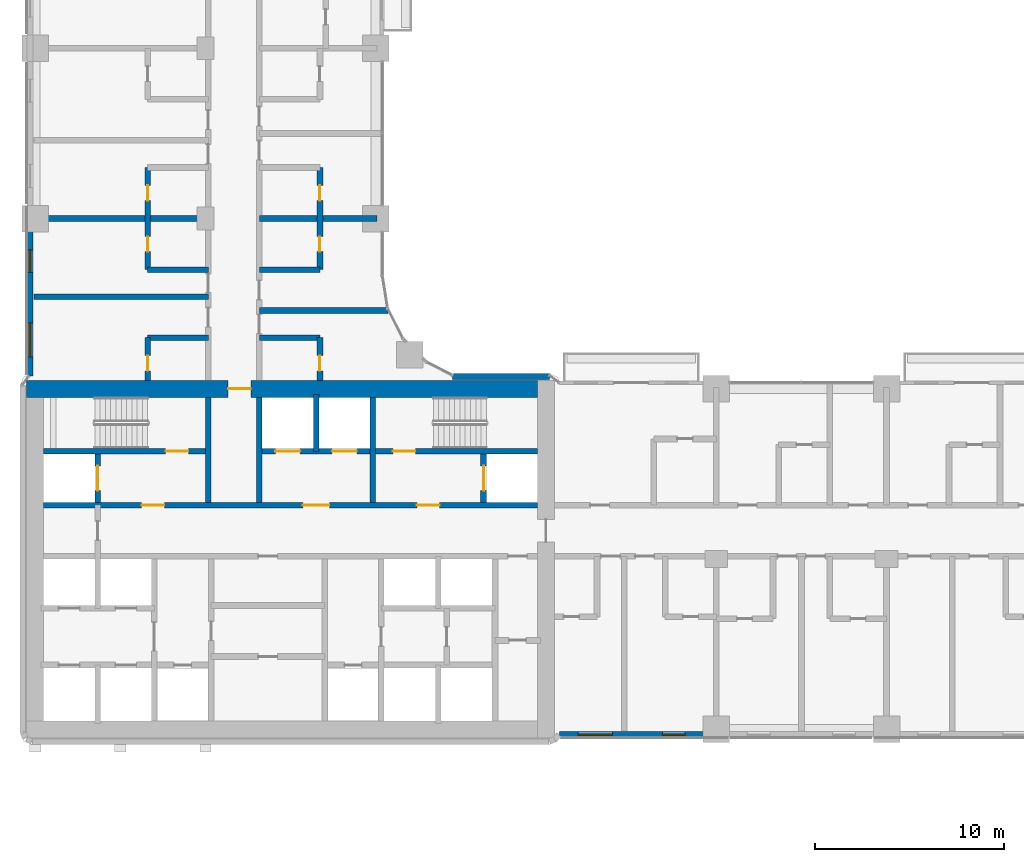
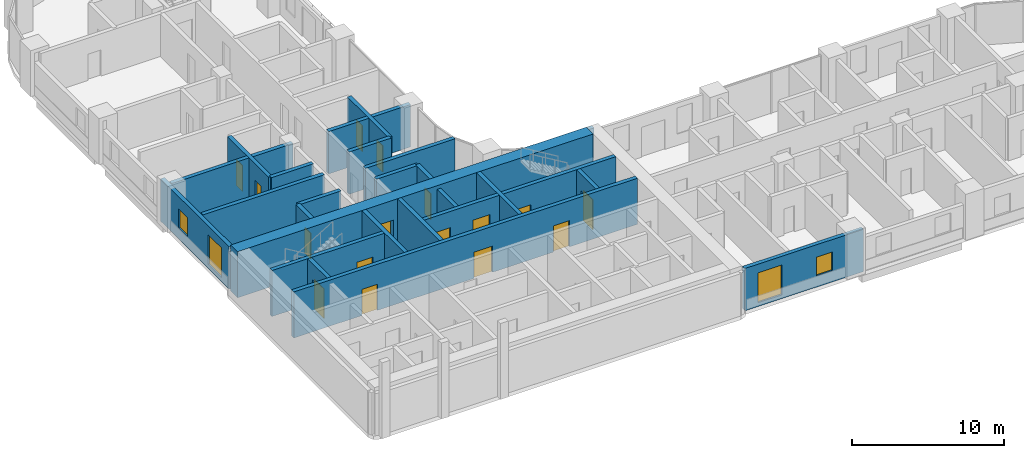
# One storey, part 15 of 30: 25 walls, 16 doors, 4 windows, 20 openings.
"""IFC4 building model written with IfcOpenShell, lengths in metres."""

from ifc_helpers import new_model, si_unit, direction, frame, frame_2d, origin, place, context, subcontext, project, spatial, rectangle, extrude, material, layer, layer_set, type_object, element, fill, save


model = new_model("IFC4")

# Units and contexts
model_context = context("Model", 3, precision=1e-05, world=origin(), true_north=direction((0.0, 1.0)))
body_context = subcontext(model_context, "Body", "Model", "MODEL_VIEW")
ifc_project = project(units=[si_unit("LENGTHUNIT", "METRE"), si_unit("AREAUNIT", "SQUARE_METRE"), si_unit("VOLUMEUNIT", "CUBIC_METRE"), si_unit("PLANEANGLEUNIT", "RADIAN"), si_unit("MASSUNIT", "GRAM", prefix="KILO")], contexts=[model_context])

# Site, building, storey
site_placement = place(None, origin())
site = spatial("IfcSite", under=ifc_project, at=site_placement, CompositionType="ELEMENT")
building_placement = place(site_placement, origin())
building = spatial("IfcBuilding", under=site, at=building_placement, Name="Ogive Portal Towers", CompositionType="ELEMENT")
storey_placement = place(building_placement, frame((0.0, 0.0, 37.199951171875)))
storey = spatial("IfcBuildingStorey", under=building, at=storey_placement, Name="L07", CompositionType="ELEMENT", Elevation=37.199951171875)

# Wall, openings, doors
ifc_material_1 = material(Name="Concrete C60/75", Category="concrete")
ifc_layer_1 = layer(ifc_material_1, 0.300048828125)
ifc_layer_set_1 = layer_set([ifc_layer_1], Name="CORE WALL 300 C60")
wall_type_1 = type_object("IfcWallType", Name="CORE WALL 300 C60", PredefinedType="SHEAR", material=ifc_layer_set_1)
wall_1_placement = place(storey_placement, frame((31.949951171875, 33.35009765625, 0.0), z_axis=(0.0, 0.0, 1.0), x_axis=(1.0, 0.0, 0.0)))
wall_1 = element("IfcWall", 1, at=wall_1_placement, inside=storey, type_object=wall_type_1, Name="Core wall Y2 L07", PredefinedType="SHEAR", context=body_context, shape_type="SweptSolid", body=[
    extrude(rectangle(XDim=26.10009765625, YDim=0.300048828125, at=frame_2d((13.050048828125, 0.0))), origin(), (0.0, 0.0, 1.0), 3.699951171875),
])
opening_1_placement = place(wall_1_placement, frame((13.699951171875, 0.0, 0.0)))
opening_1 = element("IfcOpeningElement", 2, at=opening_1_placement, cuts=wall_1, Name="Opening D01-002", PredefinedType="OPENING", context=body_context, shape_type="SweptSolid", body=[
    extrude(rectangle(XDim=1.39990234375, YDim=2.10009765625, at=frame_2d((0.699951171875, 1.050048828125))), frame((0.0, 0.16015625, 0.0), z_axis=(0.0, -1.0, 0.0), x_axis=(1.0, 0.0, 0.0)), (0.0, 0.0, 1.0), 0.320068359375),
])
opening_2_placement = place(wall_1_placement, frame((5.175048828125, 0.0, 0.0)))
opening_2 = element("IfcOpeningElement", 3, at=opening_2_placement, cuts=wall_1, Name="Opening D01-003", PredefinedType="OPENING", context=body_context, shape_type="SweptSolid", body=[
    extrude(rectangle(XDim=1.199951171875, YDim=2.10009765625, at=frame_2d((0.60009765625, 1.050048828125))), frame((0.0, 0.16015625, 0.0), z_axis=(0.0, -1.0, 0.0), x_axis=(1.0, 0.0, 0.0)), (0.0, 0.0, 1.0), 0.320068359375),
])
opening_3_placement = place(wall_1_placement, frame((19.72509765625, 0.0, 0.0)))
opening_3 = element("IfcOpeningElement", 4, at=opening_3_placement, cuts=wall_1, Name="Opening D01-004", PredefinedType="OPENING", context=body_context, shape_type="SweptSolid", body=[
    extrude(rectangle(XDim=1.199951171875, YDim=2.10009765625, at=frame_2d((0.60009765625, 1.050048828125))), frame((0.0, 0.16015625, 0.0), z_axis=(0.0, -1.0, 0.0), x_axis=(1.0, 0.0, 0.0)), (0.0, 0.0, 1.0), 0.320068359375),
])
ifc_material_2 = material(Name="Steel fire door", Category="steel")
door_type_1 = type_object("IfcDoorType", Name="DT-SWING-1200x2100-FD90S", OperationType="SINGLE_SWING_LEFT", PredefinedType="DOOR", material=ifc_material_2)
door_1_placement = place(opening_2_placement, origin())
door_1 = element("IfcDoor", 5, at=door_1_placement, inside=storey, type_object=door_type_1, Name="Door D01-003", OperationType="SINGLE_SWING_LEFT", OverallHeight=2.10009765625, OverallWidth=1.199951171875, PredefinedType="DOOR", context=body_context, shape_type="SweptSolid", body=[
    extrude(rectangle(XDim=1.199951171875, YDim=2.10009765625, at=frame_2d((0.60009765625, 1.050048828125))), frame((0.0, 0.02490234375, 0.0), z_axis=(0.0, -1.0, 0.0), x_axis=(1.0, 0.0, 0.0)), (0.0, 0.0, 1.0), 0.050048828125),
])
fill(opening_2, door_1)
door_2_placement = place(opening_3_placement, origin())
door_2 = element("IfcDoor", 6, at=door_2_placement, inside=storey, type_object=door_type_1, Name="Door D01-004", OperationType="SINGLE_SWING_RIGHT", OverallHeight=2.10009765625, OverallWidth=1.199951171875, PredefinedType="DOOR", context=body_context, shape_type="SweptSolid", body=[
    extrude(rectangle(XDim=1.199951171875, YDim=2.10009765625, at=frame_2d((0.60009765625, 1.050048828125))), frame((0.0, 0.02490234375, 0.0), z_axis=(0.0, -1.0, 0.0), x_axis=(1.0, 0.0, 0.0)), (0.0, 0.0, 1.0), 0.050048828125),
])
fill(opening_3, door_2)
door_type_2 = type_object("IfcDoorType", Name="DT-SWING-1400x2100-FD90S", OperationType="SINGLE_SWING_LEFT", PredefinedType="DOOR", material=ifc_material_2)
door_3_placement = place(opening_1_placement, origin())
door_3 = element("IfcDoor", 7, at=door_3_placement, inside=storey, type_object=door_type_2, Name="Door D01-002", OperationType="SINGLE_SWING_RIGHT", OverallHeight=2.10009765625, OverallWidth=1.39990234375, PredefinedType="DOOR", context=body_context, shape_type="SweptSolid", body=[
    extrude(rectangle(XDim=1.39990234375, YDim=2.10009765625, at=frame_2d((0.699951171875, 1.050048828125))), frame((0.0, 0.02490234375, 0.0), z_axis=(0.0, -1.0, 0.0), x_axis=(1.0, 0.0, 0.0)), (0.0, 0.0, 1.0), 0.050048828125),
])
fill(opening_1, door_3)

# Wall, opening, door
wall_2_placement = place(storey_placement, frame((31.949951171875, 36.199951171875, 0.0), z_axis=(0.0, 0.0, 1.0), x_axis=(1.0, 0.0, 0.0)))
wall_2 = element("IfcWall", 8, at=wall_2_placement, inside=storey, type_object=wall_type_1, Name="Core wall Y3a L07", PredefinedType="SHEAR", context=body_context, shape_type="SweptSolid", body=[
    extrude(rectangle(XDim=8.550048828125, YDim=0.300048828125, at=frame_2d((4.27490234375, 0.0))), origin(), (0.0, 0.0, 1.0), 3.699951171875),
])
opening_4_placement = place(wall_2_placement, frame((6.449951171875, 0.0, 0.0)))
opening_4 = element("IfcOpeningElement", 9, at=opening_4_placement, cuts=wall_2, Name="Opening D01-005", PredefinedType="OPENING", context=body_context, shape_type="SweptSolid", body=[
    extrude(rectangle(XDim=1.199951171875, YDim=2.10009765625, at=frame_2d((0.60009765625, 1.050048828125))), frame((0.0, 0.16015625, 0.0), z_axis=(0.0, -1.0, 0.0), x_axis=(1.0, 0.0, 0.0)), (0.0, 0.0, 1.0), 0.320068359375),
])
door_4_placement = place(opening_4_placement, origin())
door_4 = element("IfcDoor", 10, at=door_4_placement, inside=storey, type_object=door_type_1, Name="Door D01-005", OperationType="SINGLE_SWING_RIGHT", OverallHeight=2.10009765625, OverallWidth=1.199951171875, PredefinedType="DOOR", context=body_context, shape_type="SweptSolid", body=[
    extrude(rectangle(XDim=1.199951171875, YDim=2.10009765625, at=frame_2d((0.60009765625, 1.050048828125))), frame((0.0, 0.02490234375, 0.0), z_axis=(0.0, -1.0, 0.0), x_axis=(1.0, 0.0, 0.0)), (0.0, 0.0, 1.0), 0.050048828125),
])
fill(opening_4, door_4)

# Wall, openings, doors
wall_3_placement = place(storey_placement, frame((43.5, 36.199951171875, 0.0), z_axis=(0.0, 0.0, 1.0), x_axis=(1.0, 0.0, 0.0)))
wall_3 = element("IfcWall", 11, at=wall_3_placement, inside=storey, type_object=wall_type_1, Name="Core wall Y3b L07", PredefinedType="SHEAR", context=body_context, shape_type="SweptSolid", body=[
    extrude(rectangle(XDim=14.550048828125, YDim=0.300048828125, at=frame_2d((7.27490234375, 0.0))), origin(), (0.0, 0.0, 1.0), 3.699951171875),
])
opening_5_placement = place(wall_3_placement, frame((6.89990234375, 0.0, 0.0)))
opening_5 = element("IfcOpeningElement", 12, at=opening_5_placement, cuts=wall_3, Name="Opening D01-006", PredefinedType="OPENING", context=body_context, shape_type="SweptSolid", body=[
    extrude(rectangle(XDim=1.199951171875, YDim=2.10009765625, at=frame_2d((0.60009765625, 1.050048828125))), frame((0.0, 0.16015625, 0.0), z_axis=(0.0, -1.0, 0.0), x_axis=(1.0, 0.0, 0.0)), (0.0, 0.0, 1.0), 0.320068359375),
])
opening_6_placement = place(wall_3_placement, frame((0.699951171875, 0.0, 0.0)))
opening_6 = element("IfcOpeningElement", 13, at=opening_6_placement, cuts=wall_3, Name="Opening D01-017", PredefinedType="OPENING", context=body_context, shape_type="SweptSolid", body=[
    extrude(rectangle(XDim=1.300048828125, YDim=2.39990234375, at=frame_2d((0.64990234375, 1.199951171875))), frame((0.0, 0.16015625, 0.0), z_axis=(0.0, -1.0, 0.0), x_axis=(1.0, 0.0, 0.0)), (0.0, 0.0, 1.0), 0.320068359375),
])
opening_7_placement = place(wall_3_placement, frame((3.699951171875, 0.0, 0.0)))
opening_7 = element("IfcOpeningElement", 14, at=opening_7_placement, cuts=wall_3, Name="Opening D01-018", PredefinedType="OPENING", context=body_context, shape_type="SweptSolid", body=[
    extrude(rectangle(XDim=1.300048828125, YDim=2.39990234375, at=frame_2d((0.64990234375, 1.199951171875))), frame((0.0, 0.16015625, 0.0), z_axis=(0.0, -1.0, 0.0), x_axis=(1.0, 0.0, 0.0)), (0.0, 0.0, 1.0), 0.320068359375),
])
ifc_material_3 = material(Name="Stainless steel", Category="steel")
door_type_3 = type_object("IfcDoorType", Name="DT-LD-1300x2400", OperationType="SLIDING_TO_LEFT", PredefinedType="DOOR", material=ifc_material_3)
door_5_placement = place(opening_6_placement, origin())
door_5 = element("IfcDoor", 15, at=door_5_placement, inside=storey, type_object=door_type_3, Name="Door D01-017", OperationType="SLIDING_TO_LEFT", OverallHeight=2.39990234375, OverallWidth=1.300048828125, PredefinedType="DOOR", context=body_context, shape_type="SweptSolid", body=[
    extrude(rectangle(XDim=1.300048828125, YDim=2.39990234375, at=frame_2d((0.64990234375, 1.199951171875))), frame((0.0, 0.02490234375, 0.0), z_axis=(0.0, -1.0, 0.0), x_axis=(1.0, 0.0, 0.0)), (0.0, 0.0, 1.0), 0.050048828125),
])
fill(opening_6, door_5)
door_6_placement = place(opening_7_placement, origin())
door_6 = element("IfcDoor", 16, at=door_6_placement, inside=storey, type_object=door_type_3, Name="Door D01-018", OperationType="SLIDING_TO_LEFT", OverallHeight=2.39990234375, OverallWidth=1.300048828125, PredefinedType="DOOR", context=body_context, shape_type="SweptSolid", body=[
    extrude(rectangle(XDim=1.300048828125, YDim=2.39990234375, at=frame_2d((0.64990234375, 1.199951171875))), frame((0.0, 0.02490234375, 0.0), z_axis=(0.0, -1.0, 0.0), x_axis=(1.0, 0.0, 0.0)), (0.0, 0.0, 1.0), 0.050048828125),
])
fill(opening_7, door_6)
door_7_placement = place(opening_5_placement, origin())
door_7 = element("IfcDoor", 17, at=door_7_placement, inside=storey, type_object=door_type_1, Name="Door D01-006", OperationType="SINGLE_SWING_LEFT", OverallHeight=2.10009765625, OverallWidth=1.199951171875, PredefinedType="DOOR", context=body_context, shape_type="SweptSolid", body=[
    extrude(rectangle(XDim=1.199951171875, YDim=2.10009765625, at=frame_2d((0.60009765625, 1.050048828125))), frame((0.0, 0.02490234375, 0.0), z_axis=(0.0, -1.0, 0.0), x_axis=(1.0, 0.0, 0.0)), (0.0, 0.0, 1.0), 0.050048828125),
])
fill(opening_5, door_7)

# Walls
for number, where, z_axis, x_axis, name in (
    (18, (40.64990234375, 33.5, 0.0), (0.0, 0.0, 1.0), (0.0, 1.0, 0.0), "Core wall X6 L07"),
    (19, (43.35009765625, 33.5, 0.0), (0.0, 0.0, 1.0), (0.0, 1.0, 0.0), "Core wall X7 L07"),
):
    element("IfcWall", number, at=place(storey_placement, frame(where, z_axis=z_axis, x_axis=x_axis)), inside=storey, type_object=wall_type_1, Name=name, PredefinedType="SHEAR", context=body_context, shape_type="SweptSolid", body=[
        extrude(rectangle(XDim=5.550048828125, YDim=0.300048828125, at=frame_2d((2.77490234375, 0.0))), origin(), (0.0, 0.0, 1.0), 3.699951171875),
    ])

# Wall, opening, door
wall_4_placement = place(storey_placement, frame((34.800048828125, 33.5, 0.0), z_axis=(0.0, 0.0, 1.0), x_axis=(0.0, 1.0, 0.0)))
wall_4 = element("IfcWall", 20, at=wall_4_placement, inside=storey, type_object=wall_type_1, Name="Core wall X8 L07", PredefinedType="SHEAR", context=body_context, shape_type="SweptSolid", body=[
    extrude(rectangle(XDim=2.550048828125, YDim=0.300048828125, at=frame_2d((1.27490234375, 0.0))), origin(), (0.0, 0.0, 1.0), 3.699951171875),
])
opening_8_placement = place(wall_4_placement, frame((0.625, 0.0, 0.0)))
opening_8 = element("IfcOpeningElement", 21, at=opening_8_placement, cuts=wall_4, Name="Opening D01-019", PredefinedType="OPENING", context=body_context, shape_type="SweptSolid", body=[
    extrude(rectangle(XDim=1.300048828125, YDim=2.39990234375, at=frame_2d((0.64990234375, 1.199951171875))), frame((0.0, 0.16015625, 0.0), z_axis=(0.0, -1.0, 0.0), x_axis=(1.0, 0.0, 0.0)), (0.0, 0.0, 1.0), 0.320068359375),
])
door_8_placement = place(opening_8_placement, origin())
door_8 = element("IfcDoor", 22, at=door_8_placement, inside=storey, type_object=door_type_3, Name="Door D01-019", OperationType="SLIDING_TO_LEFT", OverallHeight=2.39990234375, OverallWidth=1.300048828125, PredefinedType="DOOR", context=body_context, shape_type="SweptSolid", body=[
    extrude(rectangle(XDim=1.300048828125, YDim=2.39990234375, at=frame_2d((0.64990234375, 1.199951171875))), frame((0.0, 0.02490234375, 0.0), z_axis=(0.0, -1.0, 0.0), x_axis=(1.0, 0.0, 0.0)), (0.0, 0.0, 1.0), 0.050048828125),
])
fill(opening_8, door_8)

# Wall
wall_5_placement = place(storey_placement, frame((49.35009765625, 33.5, 0.0), z_axis=(0.0, 0.0, 1.0), x_axis=(0.0, 1.0, 0.0)))
element("IfcWall", 23, at=wall_5_placement, inside=storey, type_object=wall_type_1, Name="Core wall X9 L07", PredefinedType="SHEAR", context=body_context, shape_type="SweptSolid", body=[
    extrude(rectangle(XDim=5.550048828125, YDim=0.300048828125, at=frame_2d((2.77490234375, 0.0))), origin(), (0.0, 0.0, 1.0), 3.699951171875),
])

# Wall, opening, door
wall_6_placement = place(storey_placement, frame((55.199951171875, 33.5, 0.0), z_axis=(0.0, 0.0, 1.0), x_axis=(0.0, 1.0, 0.0)))
wall_6 = element("IfcWall", 24, at=wall_6_placement, inside=storey, type_object=wall_type_1, Name="Core wall X10 L07", PredefinedType="SHEAR", context=body_context, shape_type="SweptSolid", body=[
    extrude(rectangle(XDim=2.550048828125, YDim=0.300048828125, at=frame_2d((1.27490234375, 0.0))), origin(), (0.0, 0.0, 1.0), 3.699951171875),
])
opening_9_placement = place(wall_6_placement, frame((0.625, 0.0, 0.0)))
opening_9 = element("IfcOpeningElement", 25, at=opening_9_placement, cuts=wall_6, Name="Opening D01-020", PredefinedType="OPENING", context=body_context, shape_type="SweptSolid", body=[
    extrude(rectangle(XDim=1.300048828125, YDim=2.39990234375, at=frame_2d((0.64990234375, 1.199951171875))), frame((0.0, 0.16015625, 0.0), z_axis=(0.0, -1.0, 0.0), x_axis=(1.0, 0.0, 0.0)), (0.0, 0.0, 1.0), 0.320068359375),
])
door_9_placement = place(opening_9_placement, origin())
door_9 = element("IfcDoor", 26, at=door_9_placement, inside=storey, type_object=door_type_3, Name="Door D01-020", OperationType="SLIDING_TO_LEFT", OverallHeight=2.39990234375, OverallWidth=1.300048828125, PredefinedType="DOOR", context=body_context, shape_type="SweptSolid", body=[
    extrude(rectangle(XDim=1.300048828125, YDim=2.39990234375, at=frame_2d((0.64990234375, 1.199951171875))), frame((0.0, 0.02490234375, 0.0), z_axis=(0.0, -1.0, 0.0), x_axis=(1.0, 0.0, 0.0)), (0.0, 0.0, 1.0), 0.050048828125),
])
fill(opening_9, door_9)

ifc_layer_2 = layer(ifc_material_1, 0.89990234375)
ifc_layer_set_2 = layer_set([ifc_layer_2], Name="CORE WALL 900 C60")
wall_type_2 = type_object("IfcWallType", Name="CORE WALL 900 C60", PredefinedType="SHEAR", material=ifc_layer_set_2)
wall_7_placement = place(storey_placement, frame((31.050048828125, 39.5, 0.0), z_axis=(0.0, 0.0, 1.0), x_axis=(1.0, 0.0, 0.0)))
wall_7 = element("IfcWall", 27, at=wall_7_placement, inside=storey, type_object=wall_type_2, Name="Core wall N L07", PredefinedType="SHEAR", context=body_context, shape_type="SweptSolid", body=[
    extrude(rectangle(XDim=27.0, YDim=0.89990234375, at=frame_2d((13.5, 0.0))), origin(), (0.0, 0.0, 1.0), 3.699951171875),
])
opening_10_placement = place(wall_7_placement, frame((10.64990234375, 0.0, 0.0)))
opening_10 = element("IfcOpeningElement", 28, at=opening_10_placement, cuts=wall_7, Name="Opening D01-012", PredefinedType="OPENING", context=body_context, shape_type="SweptSolid", body=[
    extrude(rectangle(XDim=1.199951171875, YDim=2.10009765625, at=frame_2d((0.60009765625, 1.050048828125))), frame((0.0, 0.4599609375, 0.0), z_axis=(0.0, -1.0, 0.0), x_axis=(1.0, 0.0, 0.0)), (0.0, 0.0, 1.0), 0.919921875),
])
door_10_placement = place(opening_10_placement, origin())
door_10 = element("IfcDoor", 29, at=door_10_placement, inside=storey, type_object=door_type_1, Name="Door D01-012", OperationType="SINGLE_SWING_RIGHT", OverallHeight=2.10009765625, OverallWidth=1.199951171875, PredefinedType="DOOR", context=body_context, shape_type="SweptSolid", body=[
    extrude(rectangle(XDim=1.199951171875, YDim=2.10009765625, at=frame_2d((0.60009765625, 1.050048828125))), frame((0.0, 0.02490234375, 0.0), z_axis=(0.0, -1.0, 0.0), x_axis=(1.0, 0.0, 0.0)), (0.0, 0.0, 1.0), 0.050048828125),
])
fill(opening_10, door_10)

# Wall
ifc_material_4 = material(Name="Limestone cladding on lightweight block wall", Category="masonry")
ifc_layer_3 = layer(ifc_material_4, 0.300048828125)
ifc_layer_set_3 = layer_set([ifc_layer_3], Name="EXTERNAL WALL 300 STONE")
wall_type_3 = type_object("IfcWallType", Name="EXTERNAL WALL 300 STONE", PredefinedType="SOLIDWALL", material=ifc_layer_set_3)
wall_8_placement = place(storey_placement, frame((58.673583984375, 40.14990234375, 0.0), z_axis=(0.0, 0.0, 1.0), x_axis=(-1.0, 0.0, 0.0)))
element("IfcWall", 30, at=wall_8_placement, inside=storey, type_object=wall_type_3, Name="A:L07:f01:r0:wall", PredefinedType="SOLIDWALL", context=body_context, shape_type="SweptSolid", body=[
    extrude(rectangle(XDim=5.115966796875, YDim=0.300048828125, at=frame_2d((2.55810546875, 0.0))), origin(), (0.0, 0.0, 1.0), 3.400146484375),
])

# Wall, openings, windows
wall_9_placement = place(storey_placement, frame((31.22509765625, 49.199951171875, 0.0), z_axis=(0.0, 0.0, 1.0), x_axis=(0.0, -1.0, 0.0)))
wall_9 = element("IfcWall", 31, at=wall_9_placement, inside=storey, type_object=wall_type_3, Name="A:L07:f13:r0:wall4", PredefinedType="SOLIDWALL", context=body_context, shape_type="SweptSolid", body=[
    extrude(rectangle(XDim=9.01953125, YDim=0.300048828125, at=frame_2d((4.509765625, 0.0))), origin(), (0.0, 0.0, 1.0), 3.400146484375),
])
opening_11_placement = place(wall_9_placement, frame((2.35009765625, 0.0, 0.89990234375)))
opening_11 = element("IfcOpeningElement", 32, at=opening_11_placement, cuts=wall_9, Name="Opening WN9", PredefinedType="OPENING", context=body_context, shape_type="SweptSolid", body=[
    extrude(rectangle(XDim=1.199951171875, YDim=1.5, at=frame_2d((0.60009765625, 0.75))), frame((0.0, 0.16015625, 0.0), z_axis=(0.0, -1.0, 0.0), x_axis=(1.0, 0.0, 0.0)), (0.0, 0.0, 1.0), 0.320068359375),
])
opening_12_placement = place(wall_9_placement, frame((6.209716796875, 0.0, 0.300048828125)))
opening_12 = element("IfcOpeningElement", 33, at=opening_12_placement, cuts=wall_9, Name="Opening WN10", PredefinedType="OPENING", context=body_context, shape_type="SweptSolid", body=[
    extrude(rectangle(XDim=1.800048828125, YDim=2.39990234375, at=frame_2d((0.89990234375, 1.199951171875))), frame((0.0, 0.16015625, 0.0), z_axis=(0.0, -1.0, 0.0), x_axis=(1.0, 0.0, 0.0)), (0.0, 0.0, 1.0), 0.320068359375),
])
ifc_material_5 = material(Name="Glass, clear low-iron insulated glazing", Category="glass")
window_type_1 = type_object("IfcWindowType", Name="WINDOW HOTEL CASEMENT 1200x1500", PartitioningType="DOUBLE_PANEL_VERTICAL", PredefinedType="WINDOW", material=ifc_material_5)
window_1_placement = place(opening_11_placement, origin())
window_1 = element("IfcWindow", 34, at=window_1_placement, inside=storey, type_object=window_type_1, Name="A:L07:f13:r0:w4", OverallHeight=1.5, OverallWidth=1.199951171875, PartitioningType="SINGLE_PANEL", PredefinedType="WINDOW", context=body_context, shape_type="SweptSolid", body=[
    extrude(rectangle(XDim=1.199951171875, YDim=1.5, at=frame_2d((0.60009765625, 0.75))), frame((0.0, 0.030029296875, 0.0), z_axis=(0.0, -1.0, 0.0), x_axis=(1.0, 0.0, 0.0)), (0.0, 0.0, 1.0), 0.06005859375),
])
fill(opening_11, window_1)
window_type_2 = type_object("IfcWindowType", Name="WINDOW SUITE CORNER 1800x2400", PartitioningType="DOUBLE_PANEL_VERTICAL", PredefinedType="WINDOW", material=ifc_material_5)
window_2_placement = place(opening_12_placement, origin())
window_2 = element("IfcWindow", 35, at=window_2_placement, inside=storey, type_object=window_type_2, Name="A:L07:f13:r0:w5", OverallHeight=2.39990234375, OverallWidth=1.800048828125, PartitioningType="SINGLE_PANEL", PredefinedType="WINDOW", context=body_context, shape_type="SweptSolid", body=[
    extrude(rectangle(XDim=1.800048828125, YDim=2.39990234375, at=frame_2d((0.89990234375, 1.199951171875))), frame((0.0, 0.030029296875, 0.0), z_axis=(0.0, -1.0, 0.0), x_axis=(1.0, 0.0, 0.0)), (0.0, 0.0, 1.0), 0.06005859375),
])
fill(opening_12, window_2)

wall_10_placement = place(storey_placement, frame((59.206787109375, 21.22509765625, 0.0), z_axis=(0.0, 0.0, 1.0), x_axis=(1.0, 0.0, 0.0)))
wall_10 = element("IfcWall", 36, at=wall_10_placement, inside=storey, type_object=wall_type_3, Name="A:L07:f21:r0:wall", PredefinedType="SOLIDWALL", context=body_context, shape_type="SweptSolid", body=[
    extrude(rectangle(XDim=8.9931640625, YDim=0.300048828125, at=frame_2d((4.49658203125, 0.0))), origin(), (0.0, 0.0, 1.0), 3.400146484375),
])
opening_13_placement = place(wall_10_placement, frame((0.99658203125, 0.0, 0.300048828125)))
opening_13 = element("IfcOpeningElement", 37, at=opening_13_placement, cuts=wall_10, Name="Opening WN10", PredefinedType="OPENING", context=body_context, shape_type="SweptSolid", body=[
    extrude(rectangle(XDim=1.800048828125, YDim=2.39990234375, at=frame_2d((0.89990234375, 1.199951171875))), frame((0.0, 0.16015625, 0.0), z_axis=(0.0, -1.0, 0.0), x_axis=(1.0, 0.0, 0.0)), (0.0, 0.0, 1.0), 0.320068359375),
])
opening_14_placement = place(wall_10_placement, frame((5.443115234375, 0.0, 0.89990234375)))
opening_14 = element("IfcOpeningElement", 38, at=opening_14_placement, cuts=wall_10, Name="Opening WN9", PredefinedType="OPENING", context=body_context, shape_type="SweptSolid", body=[
    extrude(rectangle(XDim=1.199951171875, YDim=1.5, at=frame_2d((0.60009765625, 0.75))), frame((0.0, 0.16015625, 0.0), z_axis=(0.0, -1.0, 0.0), x_axis=(1.0, 0.0, 0.0)), (0.0, 0.0, 1.0), 0.320068359375),
])
window_3_placement = place(opening_14_placement, origin())
window_3 = element("IfcWindow", 39, at=window_3_placement, inside=storey, type_object=window_type_1, Name="A:L07:f21:r0:w1", OverallHeight=1.5, OverallWidth=1.199951171875, PartitioningType="SINGLE_PANEL", PredefinedType="WINDOW", context=body_context, shape_type="SweptSolid", body=[
    extrude(rectangle(XDim=1.199951171875, YDim=1.5, at=frame_2d((0.60009765625, 0.75))), frame((0.0, 0.030029296875, 0.0), z_axis=(0.0, -1.0, 0.0), x_axis=(1.0, 0.0, 0.0)), (0.0, 0.0, 1.0), 0.06005859375),
])
fill(opening_14, window_3)
window_4_placement = place(opening_13_placement, origin())
window_4 = element("IfcWindow", 40, at=window_4_placement, inside=storey, type_object=window_type_2, Name="A:L07:f21:r0:w0", OverallHeight=2.39990234375, OverallWidth=1.800048828125, PartitioningType="SINGLE_PANEL", PredefinedType="WINDOW", context=body_context, shape_type="SweptSolid", body=[
    extrude(rectangle(XDim=1.800048828125, YDim=2.39990234375, at=frame_2d((0.89990234375, 1.199951171875))), frame((0.0, 0.030029296875, 0.0), z_axis=(0.0, -1.0, 0.0), x_axis=(1.0, 0.0, 0.0)), (0.0, 0.0, 1.0), 0.06005859375),
])
fill(opening_13, window_4)

# Walls
ifc_material_6 = material(Name="Gypsum board partition on steel studs", Category="steel")
ifc_layer_4 = layer(ifc_material_6, 0.300048828125)
ifc_layer_set_4 = layer_set([ifc_layer_4], Name="WT-PART-300-EI 60")
wall_type_4 = type_object("IfcWallType", Name="WT-PART-300-EI 60", PredefinedType="PARTITIONING", material=ifc_layer_set_4)
for number, where, z_axis, x_axis, name in (
    (41, (37.449951171875, 42.199951171875, 0.0), (0.0, 0.0, 1.0), (1.0, 0.0, 0.0), "Wall L07:w014"),
    (42, (43.35009765625, 42.199951171875, 0.0), (0.0, 0.0, 1.0), (1.0, 0.0, 0.0), "Wall L07:w015"),
):
    element("IfcWall", number, at=place(storey_placement, frame(where, z_axis=z_axis, x_axis=x_axis)), inside=storey, type_object=wall_type_4, Name=name, PredefinedType="PARTITIONING", context=body_context, shape_type="SweptSolid", body=[
        extrude(rectangle(XDim=3.199951171875, YDim=0.300048828125, at=frame_2d((1.60009765625, 0.0))), origin(), (0.0, 0.0, 1.0), 3.400146484375),
    ])
wall_11_placement = place(storey_placement, frame((43.35009765625, 43.639892578125, 0.0), z_axis=(0.0, 0.0, 1.0), x_axis=(1.0, 0.0, 0.0)))
element("IfcWall", 43, at=wall_11_placement, inside=storey, type_object=wall_type_4, Name="Wall L07:w016", PredefinedType="PARTITIONING", context=body_context, shape_type="SweptSolid", body=[
    extrude(rectangle(XDim=6.7958984375, YDim=0.300048828125, at=frame_2d((3.39794921875, 0.0))), origin(), (0.0, 0.0, 1.0), 3.400146484375),
])
wall_12_placement = place(storey_placement, frame((31.425048828125, 44.360107421875, 0.0), z_axis=(0.0, 0.0, 1.0), x_axis=(1.0, 0.0, 0.0)))
element("IfcWall", 44, at=wall_12_placement, inside=storey, type_object=wall_type_4, Name="Wall L07:w017", PredefinedType="PARTITIONING", context=body_context, shape_type="SweptSolid", body=[
    extrude(rectangle(XDim=9.224853515625, YDim=0.300048828125, at=frame_2d((4.6123046875, 0.0))), origin(), (0.0, 0.0, 1.0), 3.400146484375),
])
for number, where, z_axis, x_axis, name in (
    (45, (37.449951171875, 45.800048828125, 0.0), (0.0, 0.0, 1.0), (1.0, 0.0, 0.0), "Wall L07:w018"),
    (46, (43.35009765625, 45.800048828125, 0.0), (0.0, 0.0, 1.0), (1.0, 0.0, 0.0), "Wall L07:w019"),
):
    element("IfcWall", number, at=place(storey_placement, frame(where, z_axis=z_axis, x_axis=x_axis)), inside=storey, type_object=wall_type_4, Name=name, PredefinedType="PARTITIONING", context=body_context, shape_type="SweptSolid", body=[
        extrude(rectangle(XDim=3.199951171875, YDim=0.300048828125, at=frame_2d((1.60009765625, 0.0))), origin(), (0.0, 0.0, 1.0), 3.400146484375),
    ])
wall_13_placement = place(storey_placement, frame((31.425048828125, 48.5, 0.0), z_axis=(0.0, 0.0, 1.0), x_axis=(1.0, 0.0, 0.0)))
element("IfcWall", 47, at=wall_13_placement, inside=storey, type_object=wall_type_4, Name="Wall L07:w020", PredefinedType="PARTITIONING", context=body_context, shape_type="SweptSolid", body=[
    extrude(rectangle(XDim=9.224853515625, YDim=0.300048828125, at=frame_2d((4.6123046875, 0.0))), origin(), (0.0, 0.0, 1.0), 3.400146484375),
])
wall_14_placement = place(storey_placement, frame((43.35009765625, 48.5, 0.0), z_axis=(0.0, 0.0, 1.0), x_axis=(1.0, 0.0, 0.0)))
element("IfcWall", 48, at=wall_14_placement, inside=storey, type_object=wall_type_4, Name="Wall L07:w021", PredefinedType="PARTITIONING", context=body_context, shape_type="SweptSolid", body=[
    extrude(rectangle(XDim=6.224853515625, YDim=0.300048828125, at=frame_2d((3.1123046875, 0.0))), origin(), (0.0, 0.0, 1.0), 3.400146484375),
])

# Wall, opening, door
wall_15_placement = place(storey_placement, frame((37.449951171875, 39.949951171875, 0.0), z_axis=(0.0, 0.0, 1.0), x_axis=(0.0, 1.0, 0.0)))
wall_15 = element("IfcWall", 49, at=wall_15_placement, inside=storey, type_object=wall_type_4, Name="Wall L07:w036", PredefinedType="PARTITIONING", context=body_context, shape_type="SweptSolid", body=[
    extrude(rectangle(XDim=2.25, YDim=0.300048828125, at=frame_2d((1.125, 0.0))), origin(), (0.0, 0.0, 1.0), 3.400146484375),
])
opening_15_placement = place(wall_15_placement, frame((0.5, 0.0, 0.0)))
opening_15 = element("IfcOpeningElement", 50, at=opening_15_placement, cuts=wall_15, Name="Opening D01-050", PredefinedType="OPENING", context=body_context, shape_type="SweptSolid", body=[
    extrude(rectangle(XDim=0.800048828125, YDim=2.10009765625, at=frame_2d((0.39990234375, 1.050048828125))), frame((0.0, 0.16015625, 0.0), z_axis=(0.0, -1.0, 0.0), x_axis=(1.0, 0.0, 0.0)), (0.0, 0.0, 1.0), 0.320068359375),
])
door_type_4 = type_object("IfcDoorType", Name="DT-BATH-800x2100-FD60S", OperationType="SINGLE_SWING_LEFT", PredefinedType="DOOR", material=ifc_material_2)
door_11_placement = place(opening_15_placement, origin())
door_11 = element("IfcDoor", 51, at=door_11_placement, inside=storey, type_object=door_type_4, Name="Door D01-050", OperationType="SINGLE_SWING_LEFT", OverallHeight=2.10009765625, OverallWidth=0.800048828125, PredefinedType="DOOR", context=body_context, shape_type="SweptSolid", body=[
    extrude(rectangle(XDim=0.800048828125, YDim=2.10009765625, at=frame_2d((0.39990234375, 1.050048828125))), frame((0.0, 0.02490234375, 0.0), z_axis=(0.0, -1.0, 0.0), x_axis=(1.0, 0.0, 0.0)), (0.0, 0.0, 1.0), 0.050048828125),
])
fill(opening_15, door_11)

# Wall, openings, doors
wall_16_placement = place(storey_placement, frame((37.449951171875, 45.800048828125, 0.0), z_axis=(0.0, 0.0, 1.0), x_axis=(0.0, 1.0, 0.0)))
wall_16 = element("IfcWall", 52, at=wall_16_placement, inside=storey, type_object=wall_type_4, Name="Wall L07:w037", PredefinedType="PARTITIONING", context=body_context, shape_type="SweptSolid", body=[
    extrude(rectangle(XDim=5.39990234375, YDim=0.300048828125, at=frame_2d((2.699951171875, 0.0))), origin(), (0.0, 0.0, 1.0), 3.400146484375),
])
opening_16_placement = place(wall_16_placement, frame((0.949951171875, 0.0, 0.0)))
opening_16 = element("IfcOpeningElement", 53, at=opening_16_placement, cuts=wall_16, Name="Opening D01-052", PredefinedType="OPENING", context=body_context, shape_type="SweptSolid", body=[
    extrude(rectangle(XDim=0.800048828125, YDim=2.10009765625, at=frame_2d((0.39990234375, 1.050048828125))), frame((0.0, 0.16015625, 0.0), z_axis=(0.0, -1.0, 0.0), x_axis=(1.0, 0.0, 0.0)), (0.0, 0.0, 1.0), 0.320068359375),
])
opening_17_placement = place(wall_16_placement, frame((3.64990234375, 0.0, 0.0)))
opening_17 = element("IfcOpeningElement", 54, at=opening_17_placement, cuts=wall_16, Name="Opening D01-058", PredefinedType="OPENING", context=body_context, shape_type="SweptSolid", body=[
    extrude(rectangle(XDim=0.800048828125, YDim=2.10009765625, at=frame_2d((0.39990234375, 1.050048828125))), frame((0.0, 0.16015625, 0.0), z_axis=(0.0, -1.0, 0.0), x_axis=(1.0, 0.0, 0.0)), (0.0, 0.0, 1.0), 0.320068359375),
])
door_12_placement = place(opening_16_placement, origin())
door_12 = element("IfcDoor", 55, at=door_12_placement, inside=storey, type_object=door_type_4, Name="Door D01-052", OperationType="SINGLE_SWING_RIGHT", OverallHeight=2.10009765625, OverallWidth=0.800048828125, PredefinedType="DOOR", context=body_context, shape_type="SweptSolid", body=[
    extrude(rectangle(XDim=0.800048828125, YDim=2.10009765625, at=frame_2d((0.39990234375, 1.050048828125))), frame((0.0, 0.02490234375, 0.0), z_axis=(0.0, -1.0, 0.0), x_axis=(1.0, 0.0, 0.0)), (0.0, 0.0, 1.0), 0.050048828125),
])
fill(opening_16, door_12)
door_13_placement = place(opening_17_placement, origin())
door_13 = element("IfcDoor", 56, at=door_13_placement, inside=storey, type_object=door_type_4, Name="Door D01-058", OperationType="SINGLE_SWING_RIGHT", OverallHeight=2.10009765625, OverallWidth=0.800048828125, PredefinedType="DOOR", context=body_context, shape_type="SweptSolid", body=[
    extrude(rectangle(XDim=0.800048828125, YDim=2.10009765625, at=frame_2d((0.39990234375, 1.050048828125))), frame((0.0, 0.02490234375, 0.0), z_axis=(0.0, -1.0, 0.0), x_axis=(1.0, 0.0, 0.0)), (0.0, 0.0, 1.0), 0.050048828125),
])
fill(opening_17, door_13)

# Wall, opening, door
wall_17_placement = place(storey_placement, frame((46.550048828125, 39.949951171875, 0.0), z_axis=(0.0, 0.0, 1.0), x_axis=(0.0, 1.0, 0.0)))
wall_17 = element("IfcWall", 57, at=wall_17_placement, inside=storey, type_object=wall_type_4, Name="Wall L07:w044", PredefinedType="PARTITIONING", context=body_context, shape_type="SweptSolid", body=[
    extrude(rectangle(XDim=2.25, YDim=0.300048828125, at=frame_2d((1.125, 0.0))), origin(), (0.0, 0.0, 1.0), 3.400146484375),
])
opening_18_placement = place(wall_17_placement, frame((0.5, 0.0, 0.0)))
opening_18 = element("IfcOpeningElement", 58, at=opening_18_placement, cuts=wall_17, Name="Opening D01-046", PredefinedType="OPENING", context=body_context, shape_type="SweptSolid", body=[
    extrude(rectangle(XDim=0.800048828125, YDim=2.10009765625, at=frame_2d((0.39990234375, 1.050048828125))), frame((0.0, 0.16015625, 0.0), z_axis=(0.0, -1.0, 0.0), x_axis=(1.0, 0.0, 0.0)), (0.0, 0.0, 1.0), 0.320068359375),
])
door_14_placement = place(opening_18_placement, origin())
door_14 = element("IfcDoor", 59, at=door_14_placement, inside=storey, type_object=door_type_4, Name="Door D01-046", OperationType="SINGLE_SWING_RIGHT", OverallHeight=2.10009765625, OverallWidth=0.800048828125, PredefinedType="DOOR", context=body_context, shape_type="SweptSolid", body=[
    extrude(rectangle(XDim=0.800048828125, YDim=2.10009765625, at=frame_2d((0.39990234375, 1.050048828125))), frame((0.0, 0.02490234375, 0.0), z_axis=(0.0, -1.0, 0.0), x_axis=(1.0, 0.0, 0.0)), (0.0, 0.0, 1.0), 0.050048828125),
])
fill(opening_18, door_14)

# Wall, openings, doors
wall_18_placement = place(storey_placement, frame((46.550048828125, 45.800048828125, 0.0), z_axis=(0.0, 0.0, 1.0), x_axis=(0.0, 1.0, 0.0)))
wall_18 = element("IfcWall", 60, at=wall_18_placement, inside=storey, type_object=wall_type_4, Name="Wall L07:w045", PredefinedType="PARTITIONING", context=body_context, shape_type="SweptSolid", body=[
    extrude(rectangle(XDim=5.39990234375, YDim=0.300048828125, at=frame_2d((2.699951171875, 0.0))), origin(), (0.0, 0.0, 1.0), 3.400146484375),
])
opening_19_placement = place(wall_18_placement, frame((0.949951171875, 0.0, 0.0)))
opening_19 = element("IfcOpeningElement", 61, at=opening_19_placement, cuts=wall_18, Name="Opening D01-048", PredefinedType="OPENING", context=body_context, shape_type="SweptSolid", body=[
    extrude(rectangle(XDim=0.800048828125, YDim=2.10009765625, at=frame_2d((0.39990234375, 1.050048828125))), frame((0.0, 0.16015625, 0.0), z_axis=(0.0, -1.0, 0.0), x_axis=(1.0, 0.0, 0.0)), (0.0, 0.0, 1.0), 0.320068359375),
])
opening_20_placement = place(wall_18_placement, frame((3.64990234375, 0.0, 0.0)))
opening_20 = element("IfcOpeningElement", 62, at=opening_20_placement, cuts=wall_18, Name="Opening D01-054", PredefinedType="OPENING", context=body_context, shape_type="SweptSolid", body=[
    extrude(rectangle(XDim=0.800048828125, YDim=2.10009765625, at=frame_2d((0.39990234375, 1.050048828125))), frame((0.0, 0.16015625, 0.0), z_axis=(0.0, -1.0, 0.0), x_axis=(1.0, 0.0, 0.0)), (0.0, 0.0, 1.0), 0.320068359375),
])
door_15_placement = place(opening_19_placement, origin())
door_15 = element("IfcDoor", 63, at=door_15_placement, inside=storey, type_object=door_type_4, Name="Door D01-048", OperationType="SINGLE_SWING_LEFT", OverallHeight=2.10009765625, OverallWidth=0.800048828125, PredefinedType="DOOR", context=body_context, shape_type="SweptSolid", body=[
    extrude(rectangle(XDim=0.800048828125, YDim=2.10009765625, at=frame_2d((0.39990234375, 1.050048828125))), frame((0.0, 0.02490234375, 0.0), z_axis=(0.0, -1.0, 0.0), x_axis=(1.0, 0.0, 0.0)), (0.0, 0.0, 1.0), 0.050048828125),
])
fill(opening_19, door_15)
door_16_placement = place(opening_20_placement, origin())
door_16 = element("IfcDoor", 64, at=door_16_placement, inside=storey, type_object=door_type_4, Name="Door D01-054", OperationType="SINGLE_SWING_LEFT", OverallHeight=2.10009765625, OverallWidth=0.800048828125, PredefinedType="DOOR", context=body_context, shape_type="SweptSolid", body=[
    extrude(rectangle(XDim=0.800048828125, YDim=2.10009765625, at=frame_2d((0.39990234375, 1.050048828125))), frame((0.0, 0.02490234375, 0.0), z_axis=(0.0, -1.0, 0.0), x_axis=(1.0, 0.0, 0.0)), (0.0, 0.0, 1.0), 0.050048828125),
])
fill(opening_20, door_16)

# Wall
ifc_material_7 = material(Name="Concrete C40/50", Category="concrete")
ifc_layer_5 = layer(ifc_material_7, 0.300048828125)
ifc_layer_set_5 = layer_set([ifc_layer_5], Name="WT-SHAFT-300")
wall_type_5 = type_object("IfcWallType", Name="WT-SHAFT-300", PredefinedType="SOLIDWALL", material=ifc_layer_set_5)
wall_19_placement = place(storey_placement, frame((46.35009765625, 36.199951171875, 0.0), z_axis=(0.0, 0.0, 1.0), x_axis=(0.0, 1.0, 0.0)))
element("IfcWall", 65, at=wall_19_placement, inside=storey, type_object=wall_type_5, Name="Wall pw:010:L07", PredefinedType="SOLIDWALL", context=body_context, shape_type="SweptSolid", body=[
    extrude(rectangle(XDim=3.0, YDim=0.300048828125, at=frame_2d((1.5, 0.0))), origin(), (0.0, 0.0, 1.0), 3.400146484375),
])

save(model, "model.ifc")
